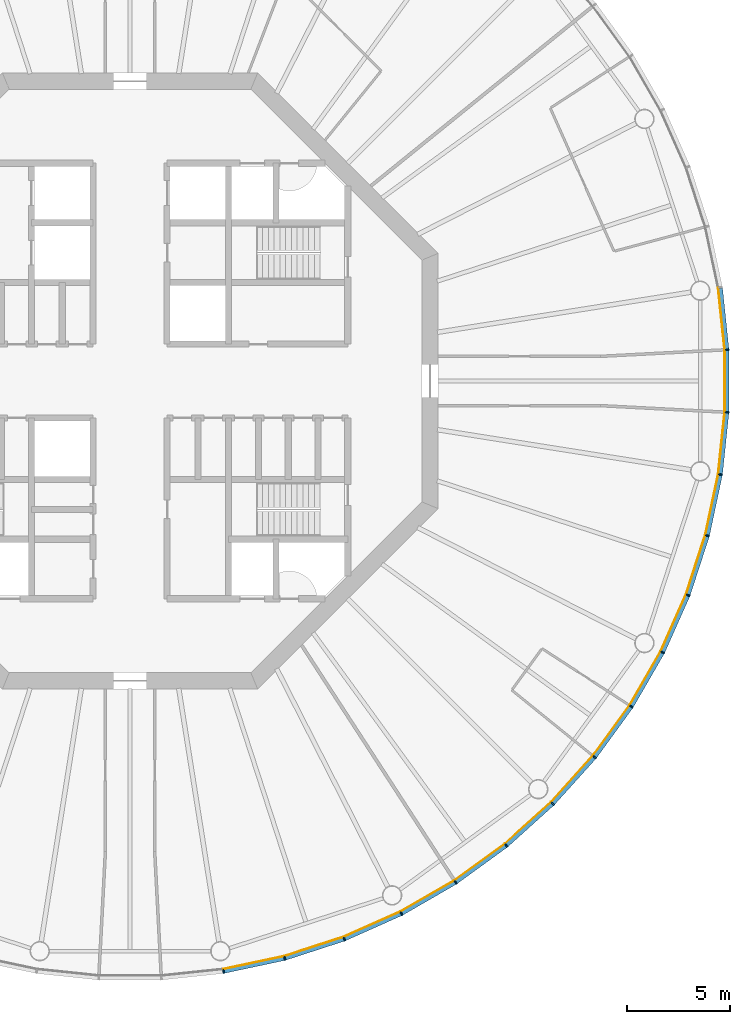
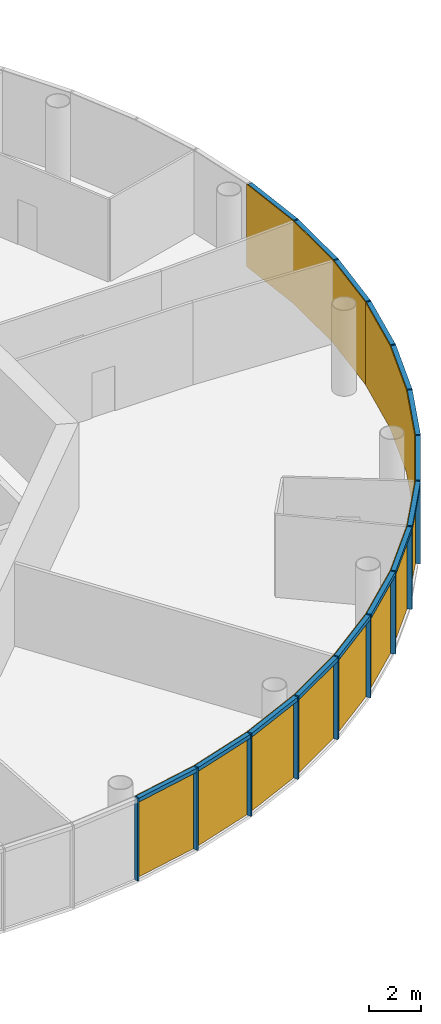
# One storey, part 9 of 13: 30 members, 5 curtain walls.
"""IFC4 building model written with IfcOpenShell, lengths in metres."""

from ifc_helpers import new_model, si_unit, direction, frame, origin, origin_2d, place, context, subcontext, project, spatial, polyline, rectangle, outline, extrude, material, layer, layer_set, material_profile, profile_set, type_object, element, aggregate, save


model = new_model("IFC4")

# Units and contexts
model_context = context("Model", 3, precision=1e-05, world=origin(), true_north=direction((0.0, 1.0)))
body_context = subcontext(model_context, "Body", "Model", "MODEL_VIEW")
ifc_project = project(units=[si_unit("LENGTHUNIT", "METRE"), si_unit("AREAUNIT", "SQUARE_METRE"), si_unit("VOLUMEUNIT", "CUBIC_METRE"), si_unit("PLANEANGLEUNIT", "RADIAN"), si_unit("MASSUNIT", "GRAM", prefix="KILO")], contexts=[model_context])

# Member
ifc_material_1 = material(Name="Anodised aluminium", Category="aluminium")
ifc_material_profile_1 = material_profile(ifc_material_1, rectangle(XDim=0.06494140625, YDim=0.195068359375, at=origin_2d()), Name="Mullion 65 x 195 mm anodised aluminium")
ifc_profile_set_1 = profile_set([ifc_material_profile_1], Name="Anodised aluminium")
member_type_1 = type_object("IfcMemberType", Name="Mullion 65 x 195 mm anodised aluminium", PredefinedType="MULLION", material=ifc_profile_set_1)
site_placement = place(None, origin())
building_placement = place(site_placement, origin())
storey_placement = place(building_placement, frame((0.0, 0.0, 318.0)))
member_1_placement = place(storey_placement, frame((94.5517578125, 51.2607421875, 0.0), z_axis=(0.0, 0.0, 1.0), x_axis=(0.987688340595, 0.15643446504, 0.0)))
member_1 = element("IfcMember", 1, at=member_1_placement, type_object=member_type_1, Name="MULLION L73-45", PredefinedType="MULLION", context=body_context, shape_type="SweptSolid", body=[
    extrude(rectangle(XDim=0.06494140625, YDim=0.195068359375, at=origin_2d()), origin(), (0.0, 0.0, 1.0), 3.85009765625),
])

member_2_placement = place(storey_placement, frame((97.531005859375, 51.89404296875, 0.0), z_axis=(0.0, 0.0, 1.0), x_axis=(0.965925826289, 0.258819045103, 0.0)))
member_2 = element("IfcMember", 2, at=member_2_placement, type_object=member_type_1, Name="MULLION L73-46", PredefinedType="MULLION", context=body_context, shape_type="SweptSolid", body=[
    extrude(rectangle(XDim=0.06494140625, YDim=0.195068359375, at=origin_2d()), origin(), (0.0, 0.0, 1.0), 3.85009765625),
])

member_3_placement = place(storey_placement, frame((100.427490234375, 52.835205078125, 0.0), z_axis=(0.0, 0.0, 1.0), x_axis=(0.933580426497, 0.358367949545, 0.0)))
member_3 = element("IfcMember", 3, at=member_3_placement, type_object=member_type_1, Name="MULLION L73-47", PredefinedType="MULLION", context=body_context, shape_type="SweptSolid", body=[
    extrude(rectangle(XDim=0.06494140625, YDim=0.195068359375, at=origin_2d()), origin(), (0.0, 0.0, 1.0), 3.85009765625),
])

member_4_placement = place(storey_placement, frame((103.2099609375, 54.073974609375, 0.0), z_axis=(0.0, 0.0, 1.0), x_axis=(0.891006524188, 0.45399049974, 0.0)))
member_4 = element("IfcMember", 4, at=member_4_placement, type_object=member_type_1, Name="MULLION L73-48", PredefinedType="MULLION", context=body_context, shape_type="SweptSolid", body=[
    extrude(rectangle(XDim=0.06494140625, YDim=0.195068359375, at=origin_2d()), origin(), (0.0, 0.0, 1.0), 3.85009765625),
])

member_5_placement = place(storey_placement, frame((105.84765625, 55.5966796875, 0.0), z_axis=(0.0, 0.0, 1.0), x_axis=(0.838670567945, 0.544639035015, 0.0)))
member_5 = element("IfcMember", 5, at=member_5_placement, type_object=member_type_1, Name="MULLION L73-49", PredefinedType="MULLION", context=body_context, shape_type="SweptSolid", body=[
    extrude(rectangle(XDim=0.06494140625, YDim=0.195068359375, at=origin_2d()), origin(), (0.0, 0.0, 1.0), 3.85009765625),
])

member_6_placement = place(storey_placement, frame((108.311767578125, 57.386962890625, 0.0), z_axis=(0.0, 0.0, 1.0), x_axis=(0.777145961457, 0.62932039105, 0.0)))
member_6 = element("IfcMember", 6, at=member_6_placement, type_object=member_type_1, Name="MULLION L73-50", PredefinedType="MULLION", context=body_context, shape_type="SweptSolid", body=[
    extrude(rectangle(XDim=0.06494140625, YDim=0.195068359375, at=origin_2d()), origin(), (0.0, 0.0, 1.0), 3.85009765625),
])

member_7_placement = place(storey_placement, frame((110.574951171875, 59.425048828125, 0.0), z_axis=(0.0, 0.0, 1.0), x_axis=(0.707106781187, 0.707106781187, 0.0)))
member_7 = element("IfcMember", 7, at=member_7_placement, type_object=member_type_1, Name="MULLION L73-51", PredefinedType="MULLION", context=body_context, shape_type="SweptSolid", body=[
    extrude(rectangle(XDim=0.06494140625, YDim=0.195068359375, at=origin_2d()), origin(), (0.0, 0.0, 1.0), 3.85009765625),
])

member_8_placement = place(storey_placement, frame((112.613037109375, 61.688232421875, 0.0), z_axis=(0.0, 0.0, 1.0), x_axis=(0.62932039105, 0.777145961457, 0.0)))
member_8 = element("IfcMember", 8, at=member_8_placement, type_object=member_type_1, Name="MULLION L73-52", PredefinedType="MULLION", context=body_context, shape_type="SweptSolid", body=[
    extrude(rectangle(XDim=0.06494140625, YDim=0.195068359375, at=origin_2d()), origin(), (0.0, 0.0, 1.0), 3.85009765625),
])

member_9_placement = place(storey_placement, frame((114.4033203125, 64.15234375, 0.0), z_axis=(0.0, 0.0, 1.0), x_axis=(0.544639035015, 0.838670567945, 0.0)))
member_9 = element("IfcMember", 9, at=member_9_placement, type_object=member_type_1, Name="MULLION L73-53", PredefinedType="MULLION", context=body_context, shape_type="SweptSolid", body=[
    extrude(rectangle(XDim=0.06494140625, YDim=0.195068359375, at=origin_2d()), origin(), (0.0, 0.0, 1.0), 3.85009765625),
])

member_10_placement = place(storey_placement, frame((115.926025390625, 66.7900390625, 0.0), z_axis=(0.0, 0.0, 1.0), x_axis=(0.45399049974, 0.891006524188, 0.0)))
member_10 = element("IfcMember", 10, at=member_10_placement, type_object=member_type_1, Name="MULLION L73-54", PredefinedType="MULLION", context=body_context, shape_type="SweptSolid", body=[
    extrude(rectangle(XDim=0.06494140625, YDim=0.195068359375, at=origin_2d()), origin(), (0.0, 0.0, 1.0), 3.85009765625),
])

member_11_placement = place(storey_placement, frame((117.164794921875, 69.572509765625, 0.0), z_axis=(0.0, 0.0, 1.0), x_axis=(0.358367949545, 0.933580426497, 0.0)))
member_11 = element("IfcMember", 11, at=member_11_placement, type_object=member_type_1, Name="MULLION L73-55", PredefinedType="MULLION", context=body_context, shape_type="SweptSolid", body=[
    extrude(rectangle(XDim=0.06494140625, YDim=0.195068359375, at=origin_2d()), origin(), (0.0, 0.0, 1.0), 3.85009765625),
])

member_12_placement = place(storey_placement, frame((118.10595703125, 72.468994140625, 0.0), z_axis=(0.0, 0.0, 1.0), x_axis=(0.258819045103, 0.965925826289, 0.0)))
member_12 = element("IfcMember", 12, at=member_12_placement, type_object=member_type_1, Name="MULLION L73-56", PredefinedType="MULLION", context=body_context, shape_type="SweptSolid", body=[
    extrude(rectangle(XDim=0.06494140625, YDim=0.195068359375, at=origin_2d()), origin(), (0.0, 0.0, 1.0), 3.85009765625),
])

member_13_placement = place(storey_placement, frame((118.7392578125, 75.4482421875, 0.0), z_axis=(0.0, 0.0, 1.0), x_axis=(0.15643446504, 0.987688340595, 0.0)))
member_13 = element("IfcMember", 13, at=member_13_placement, type_object=member_type_1, Name="MULLION L73-57", PredefinedType="MULLION", context=body_context, shape_type="SweptSolid", body=[
    extrude(rectangle(XDim=0.06494140625, YDim=0.195068359375, at=origin_2d()), origin(), (0.0, 0.0, 1.0), 3.85009765625),
])

member_14_placement = place(storey_placement, frame((119.0576171875, 78.47705078125, 0.0), z_axis=(0.0, 0.0, 1.0), x_axis=(0.052335956243, 0.998629534755, 0.0)))
member_14 = element("IfcMember", 14, at=member_14_placement, type_object=member_type_1, Name="MULLION L73-58", PredefinedType="MULLION", context=body_context, shape_type="SweptSolid", body=[
    extrude(rectangle(XDim=0.06494140625, YDim=0.195068359375, at=origin_2d()), origin(), (0.0, 0.0, 1.0), 3.85009765625),
])

member_15_placement = place(storey_placement, frame((119.0576171875, 81.52294921875, 0.0), z_axis=(0.0, 0.0, 1.0), x_axis=(-0.052335956243, 0.998629534755, 0.0)))
member_15 = element("IfcMember", 15, at=member_15_placement, type_object=member_type_1, Name="MULLION L73-59", PredefinedType="MULLION", context=body_context, shape_type="SweptSolid", body=[
    extrude(rectangle(XDim=0.06494140625, YDim=0.195068359375, at=origin_2d()), origin(), (0.0, 0.0, 1.0), 3.85009765625),
])

ifc_material_2 = material(Name="Anodised aluminium", Category="aluminium")
ifc_material_profile_2 = material_profile(ifc_material_2, rectangle(XDim=0.195068359375, YDim=0.179931640625, at=origin_2d()), Name="Transom 180 x 195 mm anodised aluminium")
ifc_profile_set_2 = profile_set([ifc_material_profile_2], Name="Anodised aluminium")
member_type_2 = type_object("IfcMemberType", Name="Transom 180 x 195 mm anodised aluminium", PredefinedType="USERDEFINED", material=ifc_profile_set_2)
member_16_placement = place(storey_placement, frame((94.588623046875, 51.268310546875, 3.760009765625), z_axis=(0.978141510112, 0.207940342877, 0.0), x_axis=(-0.207940342877, 0.978141510112, 0.0)))
member_16 = element("IfcMember", 16, at=member_16_placement, type_object=member_type_2, Name="TRANSOM L73-45", ObjectType="TRANSOM", PredefinedType="USERDEFINED", context=body_context, shape_type="SweptSolid", body=[
    extrude(rectangle(XDim=0.195068359375, YDim=0.179931640625, at=origin_2d()), origin(), (0.0, 0.0, 1.0), 2.970458984375),
])

member_17_placement = place(storey_placement, frame((97.56689453125, 51.905517578125, 3.760009765625), z_axis=(0.951047960094, 0.309043326415, 0.0), x_axis=(-0.309043326415, 0.951047960094, 0.0)))
member_17 = element("IfcMember", 17, at=member_17_placement, type_object=member_type_2, Name="TRANSOM L73-46", ObjectType="TRANSOM", PredefinedType="USERDEFINED", context=body_context, shape_type="SweptSolid", body=[
    extrude(rectangle(XDim=0.195068359375, YDim=0.179931640625, at=origin_2d()), origin(), (0.0, 0.0, 1.0), 2.970458984375),
])

member_18_placement = place(storey_placement, frame((100.4619140625, 52.850341796875, 3.760009765625), z_axis=(0.913550406593, 0.406725527369, 0.0), x_axis=(-0.406725527369, 0.913550406593, 0.0)))
member_18 = element("IfcMember", 18, at=member_18_placement, type_object=member_type_2, Name="TRANSOM L73-47", ObjectType="TRANSOM", PredefinedType="USERDEFINED", context=body_context, shape_type="SweptSolid", body=[
    extrude(rectangle(XDim=0.195068359375, YDim=0.179931640625, at=origin_2d()), origin(), (0.0, 0.0, 1.0), 2.970703125),
])

member_19_placement = place(storey_placement, frame((103.24267578125, 54.092529296875, 3.760009765625), z_axis=(0.866009025146, 0.500028367561, 0.0), x_axis=(-0.500028367561, 0.866009025146, 0.0)))
member_19 = element("IfcMember", 19, at=member_19_placement, type_object=member_type_2, Name="TRANSOM L73-48", ObjectType="TRANSOM", PredefinedType="USERDEFINED", context=body_context, shape_type="SweptSolid", body=[
    extrude(rectangle(XDim=0.195068359375, YDim=0.179931640625, at=origin_2d()), origin(), (0.0, 0.0, 1.0), 2.970458984375),
])

member_20_placement = place(storey_placement, frame((105.878173828125, 55.618896484375, 3.760009765625), z_axis=(0.809030990733, 0.587765987476, 0.0), x_axis=(-0.587765987476, 0.809030990733, 0.0)))
member_20 = element("IfcMember", 20, at=member_20_placement, type_object=member_type_2, Name="TRANSOM L73-49", ObjectType="TRANSOM", PredefinedType="USERDEFINED", context=body_context, shape_type="SweptSolid", body=[
    extrude(rectangle(XDim=0.195068359375, YDim=0.179931640625, at=origin_2d()), origin(), (0.0, 0.0, 1.0), 2.97021484375),
])

member_21_placement = place(storey_placement, frame((108.339599609375, 57.412109375, 3.760009765625), z_axis=(0.743163354343, 0.669110027395, 0.0), x_axis=(-0.669110027395, 0.743163354343, 0.0)))
member_21 = element("IfcMember", 21, at=member_21_placement, type_object=member_type_2, Name="TRANSOM L73-50", ObjectType="TRANSOM", PredefinedType="USERDEFINED", context=body_context, shape_type="SweptSolid", body=[
    extrude(rectangle(XDim=0.195068359375, YDim=0.179931640625, at=origin_2d()), origin(), (0.0, 0.0, 1.0), 2.970458984375),
])

member_22_placement = place(storey_placement, frame((110.600341796875, 59.452880859375, 3.760009765625), z_axis=(0.669110027395, 0.743163354343, 0.0), x_axis=(-0.743163354343, 0.669110027395, 0.0)))
member_22 = element("IfcMember", 22, at=member_22_placement, type_object=member_type_2, Name="TRANSOM L73-51", ObjectType="TRANSOM", PredefinedType="USERDEFINED", context=body_context, shape_type="SweptSolid", body=[
    extrude(rectangle(XDim=0.195068359375, YDim=0.179931640625, at=origin_2d()), origin(), (0.0, 0.0, 1.0), 2.970458984375),
])

member_23_placement = place(storey_placement, frame((112.63525390625, 61.71875, 3.760009765625), z_axis=(0.587765987476, 0.809030990733, 0.0), x_axis=(-0.809030990733, 0.587765987476, 0.0)))
member_23 = element("IfcMember", 23, at=member_23_placement, type_object=member_type_2, Name="TRANSOM L73-52", ObjectType="TRANSOM", PredefinedType="USERDEFINED", context=body_context, shape_type="SweptSolid", body=[
    extrude(rectangle(XDim=0.195068359375, YDim=0.179931640625, at=origin_2d()), origin(), (0.0, 0.0, 1.0), 2.97021484375),
])

member_24_placement = place(storey_placement, frame((114.422119140625, 64.184814453125, 3.760009765625), z_axis=(0.500028367561, 0.866009025146, 0.0), x_axis=(-0.866009025146, 0.500028367561, 0.0)))
member_24 = element("IfcMember", 24, at=member_24_placement, type_object=member_type_2, Name="TRANSOM L73-53", ObjectType="TRANSOM", PredefinedType="USERDEFINED", context=body_context, shape_type="SweptSolid", body=[
    extrude(rectangle(XDim=0.195068359375, YDim=0.179931640625, at=origin_2d()), origin(), (0.0, 0.0, 1.0), 2.970458984375),
])

member_25_placement = place(storey_placement, frame((115.94140625, 66.82421875, 3.760009765625), z_axis=(0.406725527369, 0.913550406593, 0.0), x_axis=(-0.913550406593, 0.406725527369, 0.0)))
member_25 = element("IfcMember", 25, at=member_25_placement, type_object=member_type_2, Name="TRANSOM L73-54", ObjectType="TRANSOM", PredefinedType="USERDEFINED", context=body_context, shape_type="SweptSolid", body=[
    extrude(rectangle(XDim=0.195068359375, YDim=0.179931640625, at=origin_2d()), origin(), (0.0, 0.0, 1.0), 2.970703125),
])

member_26_placement = place(storey_placement, frame((117.176513671875, 69.608154296875, 3.760009765625), z_axis=(0.309043326415, 0.951047960094, 0.0), x_axis=(-0.951047960094, 0.309043326415, 0.0)))
member_26 = element("IfcMember", 26, at=member_26_placement, type_object=member_type_2, Name="TRANSOM L73-55", ObjectType="TRANSOM", PredefinedType="USERDEFINED", context=body_context, shape_type="SweptSolid", body=[
    extrude(rectangle(XDim=0.195068359375, YDim=0.179931640625, at=origin_2d()), origin(), (0.0, 0.0, 1.0), 2.970458984375),
])

member_27_placement = place(storey_placement, frame((118.114013671875, 72.505859375, 3.760009765625), z_axis=(0.207940342877, 0.978141510112, 0.0), x_axis=(-0.978141510112, 0.207940342877, 0.0)))
member_27 = element("IfcMember", 27, at=member_27_placement, type_object=member_type_2, Name="TRANSOM L73-56", ObjectType="TRANSOM", PredefinedType="USERDEFINED", context=body_context, shape_type="SweptSolid", body=[
    extrude(rectangle(XDim=0.195068359375, YDim=0.179931640625, at=origin_2d()), origin(), (0.0, 0.0, 1.0), 2.970458984375),
])

member_28_placement = place(storey_placement, frame((118.743408203125, 75.485595703125, 3.760009765625), z_axis=(0.104466577987, 0.994528397827, 0.0), x_axis=(-0.994528397827, 0.104466577987, 0.0)))
member_28 = element("IfcMember", 28, at=member_28_placement, type_object=member_type_2, Name="TRANSOM L73-57", ObjectType="TRANSOM", PredefinedType="USERDEFINED", context=body_context, shape_type="SweptSolid", body=[
    extrude(rectangle(XDim=0.195068359375, YDim=0.179931640625, at=origin_2d()), origin(), (0.0, 0.0, 1.0), 2.970458984375),
])

member_29_placement = place(storey_placement, frame((119.057861328125, 78.5146484375, 3.760009765625), z_axis=(0.0, 1.0, 0.0), x_axis=(-1.0, 0.0, 0.0)))
member_29 = element("IfcMember", 29, at=member_29_placement, type_object=member_type_2, Name="TRANSOM L73-58", ObjectType="TRANSOM", PredefinedType="USERDEFINED", context=body_context, shape_type="SweptSolid", body=[
    extrude(rectangle(XDim=0.195068359375, YDim=0.179931640625, at=origin_2d()), origin(), (0.0, 0.0, 1.0), 2.970703125),
])

member_30_placement = place(storey_placement, frame((119.0537109375, 81.560302734375, 3.760009765625), z_axis=(-0.104466577987, 0.994528397827, 0.0), x_axis=(-0.994528397827, -0.104466577987, 0.0)))
member_30 = element("IfcMember", 30, at=member_30_placement, type_object=member_type_2, Name="TRANSOM L73-59", ObjectType="TRANSOM", PredefinedType="USERDEFINED", context=body_context, shape_type="SweptSolid", body=[
    extrude(rectangle(XDim=0.195068359375, YDim=0.179931640625, at=origin_2d()), origin(), (0.0, 0.0, 1.0), 2.970458984375),
])

# Site, building, storey
site = spatial("IfcSite", under=ifc_project, at=site_placement, CompositionType="ELEMENT")
building = spatial("IfcBuilding", under=site, at=building_placement, Name="Entoto Ring Tower", CompositionType="ELEMENT")
storey = spatial("IfcBuildingStorey", under=building, at=storey_placement, Name="L73", CompositionType="ELEMENT", Elevation=318.0)

# Curtain wall
ifc_material_3 = material(Name="Clear low-iron glass", Category="glass")
ifc_layer = layer(ifc_material_3, 0.033935546875)
ifc_layer_set = layer_set([ifc_layer], Name="Clear low-iron glass")
curtain_wall_type = type_object("IfcCurtainWallType", Name="Curtain wall system CW5 glazing 34 mm", PredefinedType="NOTDEFINED", material=ifc_layer_set)
curtain_wall_1_placement = place(storey_placement, origin())
curtain_wall_1 = element("IfcCurtainWall", 31, at=curtain_wall_1_placement, inside=storey, type_object=curtain_wall_type, Name="CW5 L73-16", PredefinedType="NOTDEFINED", context=body_context, shape_type="SweptSolid", body=[
    extrude(outline(polyline([(94.53662109375, 51.35693359375), (97.505859375, 51.988037109375), (100.392578125, 52.92626953125), (103.165771484375, 54.160888671875), (103.150146484375, 54.191162109375), (100.38037109375, 52.9580078125), (97.496826171875, 52.02099609375), (94.53125, 51.390625), (94.53662109375, 51.35693359375)])), origin(), (0.0, 0.0, 1.0), 3.85009765625),
])

aggregate(curtain_wall_1, [member_1, member_2, member_3, member_16, member_17, member_18])

curtain_wall_2_placement = place(storey_placement, origin())
curtain_wall_2 = element("IfcCurtainWall", 32, at=curtain_wall_2_placement, inside=storey, type_object=curtain_wall_type, Name="CW5 L73-17", PredefinedType="NOTDEFINED", context=body_context, shape_type="SweptSolid", body=[
    extrude(outline(polyline([(103.165771484375, 54.160888671875), (105.79443359375, 55.678466796875), (108.250244140625, 57.462646484375), (110.506103515625, 59.493896484375), (110.48193359375, 59.51806640625), (108.228759765625, 57.4892578125), (105.77587890625, 55.70703125), (103.150146484375, 54.191162109375), (103.165771484375, 54.160888671875)])), origin(), (0.0, 0.0, 1.0), 3.85009765625),
])

aggregate(curtain_wall_2, [member_4, member_5, member_6, member_19, member_20, member_21])

curtain_wall_3_placement = place(storey_placement, origin())
curtain_wall_3 = element("IfcCurtainWall", 33, at=curtain_wall_3_placement, inside=storey, type_object=curtain_wall_type, Name="CW5 L73-18", PredefinedType="NOTDEFINED", context=body_context, shape_type="SweptSolid", body=[
    extrude(outline(polyline([(110.506103515625, 59.493896484375), (112.537353515625, 61.749755859375), (114.321533203125, 64.20556640625), (115.839111328125, 66.834228515625), (115.808837890625, 66.849853515625), (114.29296875, 64.22412109375), (112.5107421875, 61.771240234375), (110.48193359375, 59.51806640625), (110.506103515625, 59.493896484375)])), origin(), (0.0, 0.0, 1.0), 3.85009765625),
])

aggregate(curtain_wall_3, [member_7, member_8, member_9, member_22, member_23, member_24])

curtain_wall_4_placement = place(storey_placement, origin())
curtain_wall_4 = element("IfcCurtainWall", 34, at=curtain_wall_4_placement, inside=storey, type_object=curtain_wall_type, Name="CW5 L73-19", PredefinedType="NOTDEFINED", context=body_context, shape_type="SweptSolid", body=[
    extrude(outline(polyline([(115.839111328125, 66.834228515625), (117.07373046875, 69.607421875), (118.011962890625, 72.494140625), (118.64306640625, 75.46337890625), (118.609375, 75.46875), (117.97900390625, 72.503173828125), (117.0419921875, 69.61962890625), (115.808837890625, 66.849853515625), (115.839111328125, 66.834228515625)])), origin(), (0.0, 0.0, 1.0), 3.85009765625),
])

aggregate(curtain_wall_4, [member_10, member_11, member_12, member_25, member_26, member_27])

curtain_wall_5_placement = place(storey_placement, origin())
curtain_wall_5 = element("IfcCurtainWall", 35, at=curtain_wall_5_placement, inside=storey, type_object=curtain_wall_type, Name="CW5 L73-20", PredefinedType="NOTDEFINED", context=body_context, shape_type="SweptSolid", body=[
    extrude(outline(polyline([(118.64306640625, 75.46337890625), (118.960205078125, 78.482177734375), (118.960205078125, 81.517822265625), (118.64306640625, 84.53662109375), (118.609375, 84.53125), (118.92626953125, 81.515869140625), (118.92626953125, 78.484130859375), (118.609375, 75.46875), (118.64306640625, 75.46337890625)])), origin(), (0.0, 0.0, 1.0), 3.85009765625),
])

aggregate(curtain_wall_5, [member_13, member_14, member_15, member_28, member_29, member_30])

save(model, "model.ifc")
